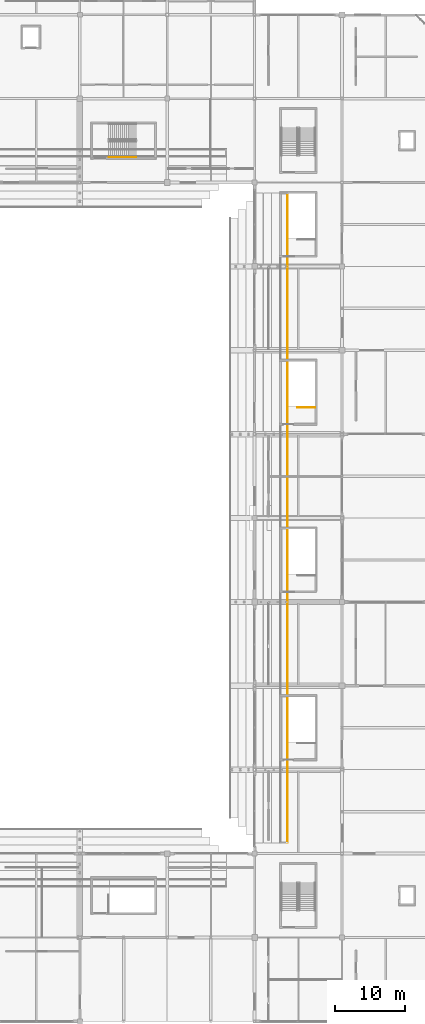
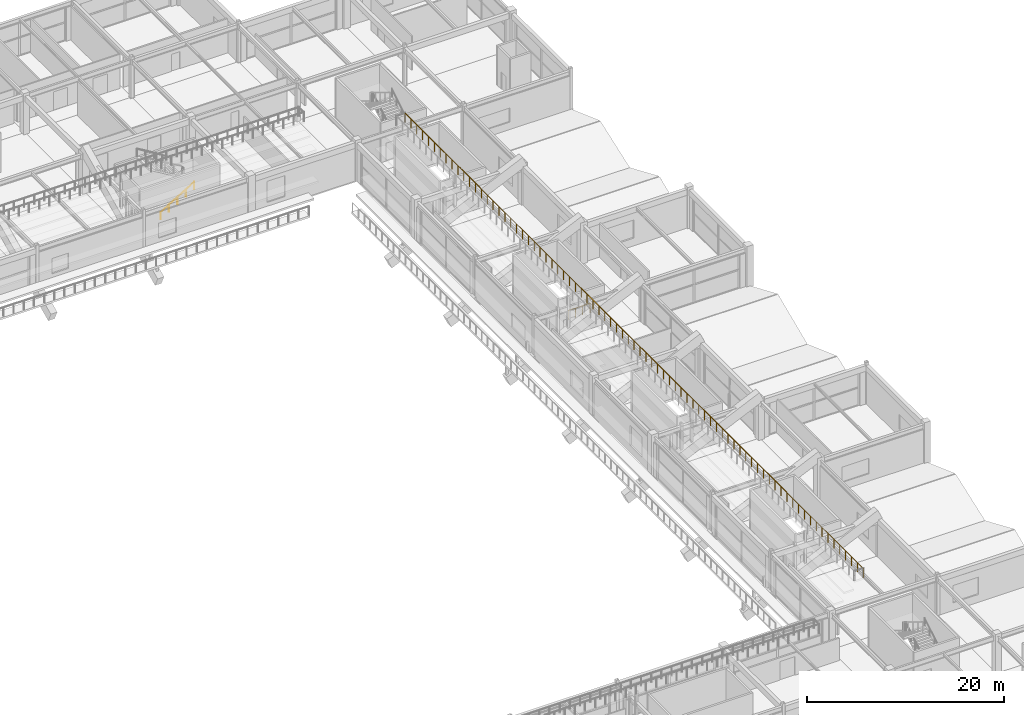
# One storey, part 120 of 128: 3 railings.
"""IFC4 building model written with IfcOpenShell, lengths in metres."""

from ifc_helpers import new_model, si_unit, direction, frame, origin, origin_2d, place, context, subcontext, project, spatial, circle, extrude, material, layer, layer_set, type_object, element, save


model = new_model("IFC4")

# Units and contexts
model_context = context("Model", 3, precision=1e-05, world=origin(), true_north=direction((0.0, 1.0)))
body_context = subcontext(model_context, "Body", "Model", "MODEL_VIEW")
ifc_project = project(units=[si_unit("LENGTHUNIT", "METRE"), si_unit("AREAUNIT", "SQUARE_METRE"), si_unit("VOLUMEUNIT", "CUBIC_METRE"), si_unit("PLANEANGLEUNIT", "RADIAN"), si_unit("MASSUNIT", "GRAM", prefix="KILO")], contexts=[model_context])

# Site, building, storey
site_placement = place(None, origin())
site = spatial("IfcSite", under=ifc_project, at=site_placement, CompositionType="ELEMENT")
building_placement = place(site_placement, origin())
building = spatial("IfcBuilding", under=site, at=building_placement, Name="Kazenohara Klinker Stadium", CompositionType="ELEMENT")
storey_placement = place(building_placement, frame((0.0, 0.0, 15.300048828125)))
storey = spatial("IfcBuildingStorey", under=building, at=storey_placement, Name="L03", CompositionType="ELEMENT", Elevation=15.300048828125)

# Railings
ifc_material_1 = material(Name="Galvanised powder-coated steel guardrail", Category="steel")
ifc_layer_1 = layer(ifc_material_1, 0.070068359375)
ifc_layer_set_1 = layer_set([ifc_layer_1], Name="Galvanised powder-coated steel guardrail")
railing_type_1 = type_object("IfcRailingType", Name="RL-GRD-1150", PredefinedType="GUARDRAIL", material=ifc_layer_set_1)
railing_1_placement = place(storey_placement, frame((179.719970703125, 37.56005859375, 6.349853515625)))
element("IfcRailing", 1, at=railing_1_placement, inside=storey, type_object=railing_type_1, Name="Spectator stand sightline guardrail TIER-UPPER-E-01-E", PredefinedType="GUARDRAIL", context=body_context, shape_type="SweptSolid", body=[
    extrude(circle(Radius=0.02392578125, at=origin_2d()), frame((0.0, 0.0, 1.1259765625), z_axis=(0.0, 1.0, 0.0), x_axis=(-1.0, 0.0, 0.0)), (0.0, 0.0, 1.0), 92.8798828125),
    extrude(circle(Radius=0.02099609375, at=origin_2d()), origin(), (0.0, 0.0, 1.0), 1.101806640625),
    extrude(circle(Radius=0.02099609375, at=origin_2d()), frame((0.0, 1.190673828125, 0.0)), (0.0, 0.0, 1.0), 1.101806640625),
    extrude(circle(Radius=0.02099609375, at=origin_2d()), frame((0.0, 2.381591796875, 0.0)), (0.0, 0.0, 1.0), 1.101806640625),
    extrude(circle(Radius=0.02099609375, at=origin_2d()), frame((0.0, 3.572265625, 0.0)), (0.0, 0.0, 1.0), 1.101806640625),
    extrude(circle(Radius=0.02099609375, at=origin_2d()), frame((0.0, 4.76318359375, 0.0)), (0.0, 0.0, 1.0), 1.101806640625),
    extrude(circle(Radius=0.02099609375, at=origin_2d()), frame((0.0, 5.953857421875, 0.0)), (0.0, 0.0, 1.0), 1.101806640625),
    extrude(circle(Radius=0.02099609375, at=origin_2d()), frame((0.0, 7.14453125, 0.0)), (0.0, 0.0, 1.0), 1.101806640625),
    extrude(circle(Radius=0.02099609375, at=origin_2d()), frame((0.0, 8.33544921875, 0.0)), (0.0, 0.0, 1.0), 1.101806640625),
    extrude(circle(Radius=0.02099609375, at=origin_2d()), frame((0.0, 9.526123046875, 0.0)), (0.0, 0.0, 1.0), 1.101806640625),
    extrude(circle(Radius=0.02099609375, at=origin_2d()), frame((0.0, 10.716796875, 0.0)), (0.0, 0.0, 1.0), 1.101806640625),
    extrude(circle(Radius=0.02099609375, at=origin_2d()), frame((0.0, 11.90771484375, 0.0)), (0.0, 0.0, 1.0), 1.101806640625),
    extrude(circle(Radius=0.02099609375, at=origin_2d()), frame((0.0, 13.098388671875, 0.0)), (0.0, 0.0, 1.0), 1.101806640625),
    extrude(circle(Radius=0.02099609375, at=origin_2d()), frame((0.0, 14.289306640625, 0.0)), (0.0, 0.0, 1.0), 1.101806640625),
    extrude(circle(Radius=0.02099609375, at=origin_2d()), frame((0.0, 15.47998046875, 0.0)), (0.0, 0.0, 1.0), 1.101806640625),
    extrude(circle(Radius=0.02099609375, at=origin_2d()), frame((0.0, 16.670654296875, 0.0)), (0.0, 0.0, 1.0), 1.101806640625),
    extrude(circle(Radius=0.02099609375, at=origin_2d()), frame((0.0, 17.861572265625, 0.0)), (0.0, 0.0, 1.0), 1.101806640625),
    extrude(circle(Radius=0.02099609375, at=origin_2d()), frame((0.0, 19.05224609375, 0.0)), (0.0, 0.0, 1.0), 1.101806640625),
    extrude(circle(Radius=0.02099609375, at=origin_2d()), frame((0.0, 20.2431640625, 0.0)), (0.0, 0.0, 1.0), 1.101806640625),
    extrude(circle(Radius=0.02099609375, at=origin_2d()), frame((0.0, 21.433837890625, 0.0)), (0.0, 0.0, 1.0), 1.101806640625),
    extrude(circle(Radius=0.02099609375, at=origin_2d()), frame((0.0, 22.62451171875, 0.0)), (0.0, 0.0, 1.0), 1.101806640625),
    extrude(circle(Radius=0.02099609375, at=origin_2d()), frame((0.0, 23.8154296875, 0.0)), (0.0, 0.0, 1.0), 1.101806640625),
    extrude(circle(Radius=0.02099609375, at=origin_2d()), frame((0.0, 25.006103515625, 0.0)), (0.0, 0.0, 1.0), 1.101806640625),
    extrude(circle(Radius=0.02099609375, at=origin_2d()), frame((0.0, 26.19677734375, 0.0)), (0.0, 0.0, 1.0), 1.101806640625),
    extrude(circle(Radius=0.02099609375, at=origin_2d()), frame((0.0, 27.3876953125, 0.0)), (0.0, 0.0, 1.0), 1.101806640625),
    extrude(circle(Radius=0.02099609375, at=origin_2d()), frame((0.0, 28.578369140625, 0.0)), (0.0, 0.0, 1.0), 1.101806640625),
    extrude(circle(Radius=0.02099609375, at=origin_2d()), frame((0.0, 29.769287109375, 0.0)), (0.0, 0.0, 1.0), 1.101806640625),
    extrude(circle(Radius=0.02099609375, at=origin_2d()), frame((0.0, 30.9599609375, 0.0)), (0.0, 0.0, 1.0), 1.101806640625),
    extrude(circle(Radius=0.02099609375, at=origin_2d()), frame((0.0, 32.150634765625, 0.0)), (0.0, 0.0, 1.0), 1.101806640625),
    extrude(circle(Radius=0.02099609375, at=origin_2d()), frame((0.0, 33.341552734375, 0.0)), (0.0, 0.0, 1.0), 1.101806640625),
    extrude(circle(Radius=0.02099609375, at=origin_2d()), frame((0.0, 34.5322265625, 0.0)), (0.0, 0.0, 1.0), 1.101806640625),
    extrude(circle(Radius=0.02099609375, at=origin_2d()), frame((0.0, 35.72314453125, 0.0)), (0.0, 0.0, 1.0), 1.101806640625),
    extrude(circle(Radius=0.02099609375, at=origin_2d()), frame((0.0, 36.913818359375, 0.0)), (0.0, 0.0, 1.0), 1.101806640625),
    extrude(circle(Radius=0.02099609375, at=origin_2d()), frame((0.0, 38.1044921875, 0.0)), (0.0, 0.0, 1.0), 1.101806640625),
    extrude(circle(Radius=0.02099609375, at=origin_2d()), frame((0.0, 39.29541015625, 0.0)), (0.0, 0.0, 1.0), 1.101806640625),
    extrude(circle(Radius=0.02099609375, at=origin_2d()), frame((0.0, 40.486083984375, 0.0)), (0.0, 0.0, 1.0), 1.101806640625),
    extrude(circle(Radius=0.02099609375, at=origin_2d()), frame((0.0, 41.6767578125, 0.0)), (0.0, 0.0, 1.0), 1.101806640625),
    extrude(circle(Radius=0.02099609375, at=origin_2d()), frame((0.0, 42.86767578125, 0.0)), (0.0, 0.0, 1.0), 1.101806640625),
    extrude(circle(Radius=0.02099609375, at=origin_2d()), frame((0.0, 44.058349609375, 0.0)), (0.0, 0.0, 1.0), 1.101806640625),
    extrude(circle(Radius=0.02099609375, at=origin_2d()), frame((0.0, 45.249267578125, 0.0)), (0.0, 0.0, 1.0), 1.101806640625),
    extrude(circle(Radius=0.02099609375, at=origin_2d()), frame((0.0, 46.43994140625, 0.0)), (0.0, 0.0, 1.0), 1.101806640625),
    extrude(circle(Radius=0.02099609375, at=origin_2d()), frame((0.0, 47.630615234375, 0.0)), (0.0, 0.0, 1.0), 1.101806640625),
    extrude(circle(Radius=0.02099609375, at=origin_2d()), frame((0.0, 48.821533203125, 0.0)), (0.0, 0.0, 1.0), 1.101806640625),
    extrude(circle(Radius=0.02099609375, at=origin_2d()), frame((0.0, 50.01220703125, 0.0)), (0.0, 0.0, 1.0), 1.101806640625),
    extrude(circle(Radius=0.02099609375, at=origin_2d()), frame((0.0, 51.203125, 0.0)), (0.0, 0.0, 1.0), 1.101806640625),
    extrude(circle(Radius=0.02099609375, at=origin_2d()), frame((0.0, 52.393798828125, 0.0)), (0.0, 0.0, 1.0), 1.101806640625),
    extrude(circle(Radius=0.02099609375, at=origin_2d()), frame((0.0, 53.58447265625, 0.0)), (0.0, 0.0, 1.0), 1.101806640625),
    extrude(circle(Radius=0.02099609375, at=origin_2d()), frame((0.0, 54.775390625, 0.0)), (0.0, 0.0, 1.0), 1.101806640625),
    extrude(circle(Radius=0.02099609375, at=origin_2d()), frame((0.0, 55.966064453125, 0.0)), (0.0, 0.0, 1.0), 1.101806640625),
    extrude(circle(Radius=0.02099609375, at=origin_2d()), frame((0.0, 57.15673828125, 0.0)), (0.0, 0.0, 1.0), 1.101806640625),
    extrude(circle(Radius=0.02099609375, at=origin_2d()), frame((0.0, 58.34765625, 0.0)), (0.0, 0.0, 1.0), 1.101806640625),
    extrude(circle(Radius=0.02099609375, at=origin_2d()), frame((0.0, 59.538330078125, 0.0)), (0.0, 0.0, 1.0), 1.101806640625),
    extrude(circle(Radius=0.02099609375, at=origin_2d()), frame((0.0, 60.729248046875, 0.0)), (0.0, 0.0, 1.0), 1.101806640625),
    extrude(circle(Radius=0.02099609375, at=origin_2d()), frame((0.0, 61.919921875, 0.0)), (0.0, 0.0, 1.0), 1.101806640625),
    extrude(circle(Radius=0.02099609375, at=origin_2d()), frame((0.0, 63.110595703125, 0.0)), (0.0, 0.0, 1.0), 1.101806640625),
    extrude(circle(Radius=0.02099609375, at=origin_2d()), frame((0.0, 64.301513671875, 0.0)), (0.0, 0.0, 1.0), 1.101806640625),
    extrude(circle(Radius=0.02099609375, at=origin_2d()), frame((0.0, 65.4921875, 0.0)), (0.0, 0.0, 1.0), 1.101806640625),
    extrude(circle(Radius=0.02099609375, at=origin_2d()), frame((0.0, 66.68310546875, 0.0)), (0.0, 0.0, 1.0), 1.101806640625),
    extrude(circle(Radius=0.02099609375, at=origin_2d()), frame((0.0, 67.873779296875, 0.0)), (0.0, 0.0, 1.0), 1.101806640625),
    extrude(circle(Radius=0.02099609375, at=origin_2d()), frame((0.0, 69.064453125, 0.0)), (0.0, 0.0, 1.0), 1.101806640625),
    extrude(circle(Radius=0.02099609375, at=origin_2d()), frame((0.0, 70.25537109375, 0.0)), (0.0, 0.0, 1.0), 1.101806640625),
    extrude(circle(Radius=0.02099609375, at=origin_2d()), frame((0.0, 71.446044921875, 0.0)), (0.0, 0.0, 1.0), 1.101806640625),
    extrude(circle(Radius=0.02099609375, at=origin_2d()), frame((0.0, 72.63671875, 0.0)), (0.0, 0.0, 1.0), 1.101806640625),
    extrude(circle(Radius=0.02099609375, at=origin_2d()), frame((0.0, 73.82763671875, 0.0)), (0.0, 0.0, 1.0), 1.101806640625),
    extrude(circle(Radius=0.02099609375, at=origin_2d()), frame((0.0, 75.018310546875, 0.0)), (0.0, 0.0, 1.0), 1.101806640625),
    extrude(circle(Radius=0.02099609375, at=origin_2d()), frame((0.0, 76.209228515625, 0.0)), (0.0, 0.0, 1.0), 1.101806640625),
    extrude(circle(Radius=0.02099609375, at=origin_2d()), frame((0.0, 77.39990234375, 0.0)), (0.0, 0.0, 1.0), 1.101806640625),
    extrude(circle(Radius=0.02099609375, at=origin_2d()), frame((0.0, 78.590576171875, 0.0)), (0.0, 0.0, 1.0), 1.101806640625),
    extrude(circle(Radius=0.02099609375, at=origin_2d()), frame((0.0, 79.781494140625, 0.0)), (0.0, 0.0, 1.0), 1.101806640625),
    extrude(circle(Radius=0.02099609375, at=origin_2d()), frame((0.0, 80.97216796875, 0.0)), (0.0, 0.0, 1.0), 1.101806640625),
    extrude(circle(Radius=0.02099609375, at=origin_2d()), frame((0.0, 82.1630859375, 0.0)), (0.0, 0.0, 1.0), 1.101806640625),
    extrude(circle(Radius=0.02099609375, at=origin_2d()), frame((0.0, 83.353759765625, 0.0)), (0.0, 0.0, 1.0), 1.101806640625),
    extrude(circle(Radius=0.02099609375, at=origin_2d()), frame((0.0, 84.54443359375, 0.0)), (0.0, 0.0, 1.0), 1.101806640625),
    extrude(circle(Radius=0.02099609375, at=origin_2d()), frame((0.0, 85.7353515625, 0.0)), (0.0, 0.0, 1.0), 1.101806640625),
    extrude(circle(Radius=0.02099609375, at=origin_2d()), frame((0.0, 86.926025390625, 0.0)), (0.0, 0.0, 1.0), 1.101806640625),
    extrude(circle(Radius=0.02099609375, at=origin_2d()), frame((0.0, 88.11669921875, 0.0)), (0.0, 0.0, 1.0), 1.101806640625),
    extrude(circle(Radius=0.02099609375, at=origin_2d()), frame((0.0, 89.3076171875, 0.0)), (0.0, 0.0, 1.0), 1.101806640625),
    extrude(circle(Radius=0.02099609375, at=origin_2d()), frame((0.0, 90.498291015625, 0.0)), (0.0, 0.0, 1.0), 1.101806640625),
    extrude(circle(Radius=0.02099609375, at=origin_2d()), frame((0.0, 91.689208984375, 0.0)), (0.0, 0.0, 1.0), 1.101806640625),
    extrude(circle(Radius=0.02099609375, at=origin_2d()), frame((0.0, 92.8798828125, 0.0)), (0.0, 0.0, 1.0), 1.101806640625),
])
ifc_material_2 = material(Name="Brushed stainless steel 304 handrail", Category="steel")
ifc_layer_2 = layer(ifc_material_2, 0.050048828125)
ifc_layer_set_2 = layer_set([ifc_layer_2], Name="Brushed stainless steel 304 handrail")
railing_type_2 = type_object("IfcRailingType", Name="RL-HND-900", PredefinedType="HANDRAIL", material=ifc_layer_set_2)
railing_2_placement = place(storey_placement, frame((154.1298828125, 135.610107421875, 0.169921875)))
element("IfcRailing", 2, at=railing_2_placement, inside=storey, type_object=railing_type_2, Name="L03 ST20 stair handrail 1", PredefinedType="HANDRAIL", context=body_context, shape_type="SweptSolid", body=[
    extrude(circle(Radius=0.02392578125, at=origin_2d()), frame((0.0, 0.0, 0.8759765625), z_axis=(0.854784984964, 0.0, 0.518982301701), x_axis=(0.0, 1.0, 0.0)), (0.0, 0.0, 1.0), 4.586181640625),
    extrude(circle(Radius=0.02099609375, at=origin_2d()), origin(), (0.0, 0.0, 1.0), 0.851806640625),
    extrude(circle(Radius=0.02099609375, at=origin_2d()), frame((0.97998046875, 0.0, 0.594970703125)), (0.0, 0.0, 1.0), 0.851806640625),
    extrude(circle(Radius=0.02099609375, at=origin_2d()), frame((1.9599609375, 0.0, 1.18994140625)), (0.0, 0.0, 1.0), 0.851806640625),
    extrude(circle(Radius=0.02099609375, at=origin_2d()), frame((2.940185546875, 0.0, 1.78515625)), (0.0, 0.0, 1.0), 0.851806640625),
    extrude(circle(Radius=0.02099609375, at=origin_2d()), frame((3.920166015625, 0.0, 2.380126953125)), (0.0, 0.0, 1.0), 0.851806640625),
])
ifc_material_3 = material(Name="Painted steel stairwell guardrail", Category="steel")
ifc_layer_3 = layer(ifc_material_3, 0.06005859375)
ifc_layer_set_3 = layer_set([ifc_layer_3], Name="Painted steel stairwell guardrail")
railing_type_3 = type_object("IfcRailingType", Name="RL-STG-1120", PredefinedType="GUARDRAIL", material=ifc_layer_set_3)
railing_3_placement = place(storey_placement, frame((183.679931640625, 99.820068359375, 0.0)))
element("IfcRailing", 3, at=railing_3_placement, inside=storey, type_object=railing_type_3, Name="L03 ST23 top well guard 1", PredefinedType="GUARDRAIL", context=body_context, shape_type="SweptSolid", body=[
    extrude(circle(Radius=0.02392578125, at=origin_2d()), frame((0.0, 0.0, 1.1259765625), z_axis=(-1.0, 0.0, 0.0), x_axis=(0.0, -1.0, 0.0)), (0.0, 0.0, 1.0), 2.530029296875),
    extrude(circle(Radius=0.02099609375, at=origin_2d()), origin(), (0.0, 0.0, 1.0), 1.101806640625),
    extrude(circle(Radius=0.02099609375, at=origin_2d()), frame((-0.84326171875, 0.0, 0.0)), (0.0, 0.0, 1.0), 1.101806640625),
    extrude(circle(Radius=0.02099609375, at=origin_2d()), frame((-1.686767578125, 0.0, 0.0)), (0.0, 0.0, 1.0), 1.101806640625),
    extrude(circle(Radius=0.02099609375, at=origin_2d()), frame((-2.530029296875, 0.0, 0.0)), (0.0, 0.0, 1.0), 1.101806640625),
])

save(model, "model.ifc")
